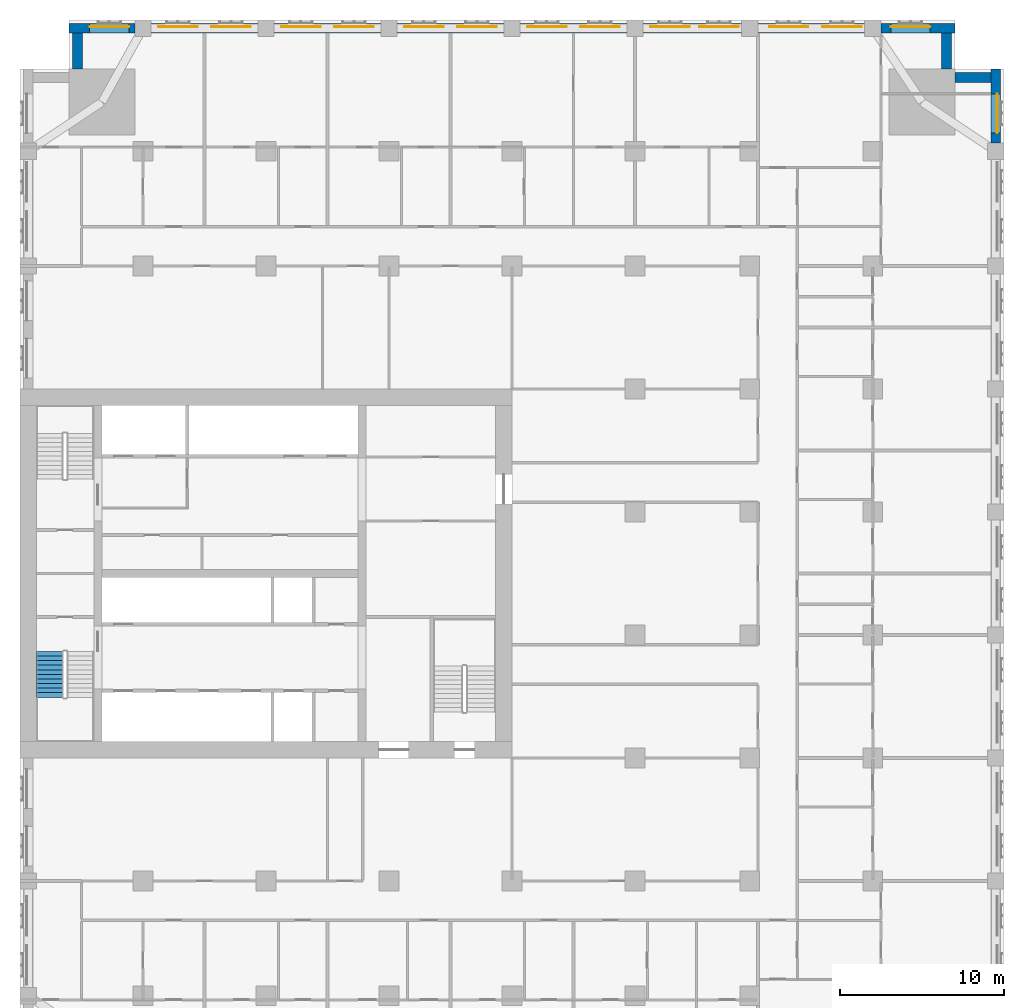
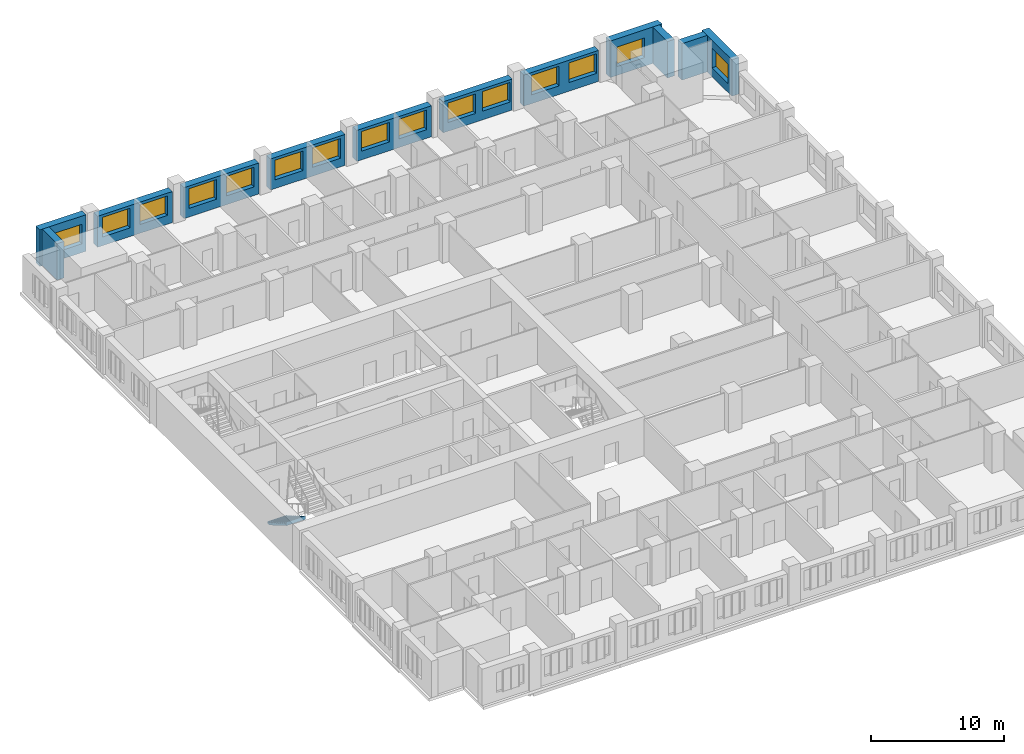
# One storey, part 11 of 14: 15 windows, 12 walls, 1 stair flight, 15 openings, 1 element without a shape of its own.
"""IFC4 building model written with IfcOpenShell, lengths in metres."""

from ifc_helpers import new_model, si_unit, direction, frame, frame_2d, origin, place, context, subcontext, project, spatial, polyline, rectangle, outline, extrude, material, layer, layer_set, type_object, element, fill, aggregate, save


model = new_model("IFC4")

# Units and contexts
model_context = context("Model", 3, precision=1e-05, world=origin(), true_north=direction((0.0, 1.0)))
body_context = subcontext(model_context, "Body", "Model", "MODEL_VIEW")
ifc_project = project(units=[si_unit("LENGTHUNIT", "METRE"), si_unit("AREAUNIT", "SQUARE_METRE"), si_unit("VOLUMEUNIT", "CUBIC_METRE"), si_unit("PLANEANGLEUNIT", "RADIAN"), si_unit("MASSUNIT", "GRAM", prefix="KILO")], contexts=[model_context])

# Site, building, storey
site_placement = place(None, origin())
site = spatial("IfcSite", under=ifc_project, at=site_placement, CompositionType="ELEMENT")
building_placement = place(site_placement, origin())
building = spatial("IfcBuilding", under=site, at=building_placement, Name="Tamorin Gate", CompositionType="ELEMENT")
storey_placement = place(building_placement, frame((0.0, 0.0, 52.0)))
storey = spatial("IfcBuildingStorey", under=building, at=storey_placement, Name="L11", CompositionType="ELEMENT", Elevation=52.0)

# Wall, opening, window
ifc_material_1 = material(Name="Precast concrete C40/50", Category="concrete")
ifc_layer = layer(ifc_material_1, 0.60009765625)
ifc_layer_set = layer_set([ifc_layer], Name="Precast concrete C40/50")
wall_type = type_object("IfcWallType", Name="Board-marked concrete facade panel 600", PredefinedType="SOLIDWALL", material=ifc_layer_set)
wall_1_placement = place(storey_placement, frame((89.5, 97.5, 0.0), z_axis=(0.0, 0.0, 1.0), x_axis=(0.0, 1.0, 0.0)))
wall_1 = element("IfcWall", 1, at=wall_1_placement, inside=storey, type_object=wall_type, Name="Facade panel", PredefinedType="SOLIDWALL", context=body_context, shape_type="SweptSolid", body=[
    extrude(rectangle(XDim=4.5, YDim=0.60009765625, at=frame_2d((2.25, 0.0))), origin(), (0.0, 0.0, 1.0), 3.35009765625),
])
opening_1_placement = place(wall_1_placement, frame((0.60009765625, 0.0, 0.800048828125)))
opening_1 = element("IfcOpeningElement", 2, at=opening_1_placement, cuts=wall_1, Name="Opening WN1", PredefinedType="OPENING", context=body_context, shape_type="SweptSolid", body=[
    extrude(rectangle(XDim=2.39990234375, YDim=1.800048828125, at=frame_2d((1.199951171875, 0.89990234375))), frame((0.0, 0.31005859375, 0.0), z_axis=(0.0, -1.0, 0.0), x_axis=(1.0, 0.0, 0.0)), (0.0, 0.0, 1.0), 0.6201171875),
])
ifc_material_2 = material(Name="Clear glass in aluminium frame", Category="aluminium")
window_type = type_object("IfcWindowType", Name="Deep-set window 2400x1800", PartitioningType="SINGLE_PANEL", PredefinedType="WINDOW", material=ifc_material_2)
window_1_placement = place(opening_1_placement, origin())
window_1 = element("IfcWindow", 3, at=window_1_placement, inside=storey, type_object=window_type, Name="Deep-set window", OverallHeight=1.800048828125, OverallWidth=2.39990234375, PartitioningType="SINGLE_PANEL", PredefinedType="WINDOW", context=body_context, shape_type="SweptSolid", body=[
    extrude(rectangle(XDim=2.39990234375, YDim=1.800048828125, at=frame_2d((1.199951171875, 0.89990234375))), frame((0.0, -0.070068359375, 0.0), z_axis=(0.0, -1.0, 0.0), x_axis=(1.0, 0.0, 0.0)), (0.0, 0.0, 1.0), 0.06005859375),
])
fill(opening_1, window_1)

# Walls
for number, where, z_axis, x_axis, name in (
    (4, (89.199951171875, 101.5, 0.0), (0.0, 0.0, 1.0), (-1.0, 0.0, 0.0), "Facade panel"),
    (5, (86.5, 102.0, 0.0), (0.0, 0.0, 1.0), (0.0, 1.0, 0.0), "Facade panel"),
):
    element("IfcWall", number, at=place(storey_placement, frame(where, z_axis=z_axis, x_axis=x_axis)), inside=storey, type_object=wall_type, Name=name, PredefinedType="SOLIDWALL", context=body_context, shape_type="SweptSolid", body=[
        extrude(rectangle(XDim=2.199951171875, YDim=0.60009765625, at=frame_2d((1.10009765625, 0.0))), origin(), (0.0, 0.0, 1.0), 3.35009765625),
    ])

# Wall, opening, window
wall_2_placement = place(storey_placement, frame((87.0, 104.5, 0.0), z_axis=(0.0, 0.0, 1.0), x_axis=(-1.0, 0.0, 0.0)))
wall_2 = element("IfcWall", 6, at=wall_2_placement, inside=storey, type_object=wall_type, Name="Facade panel", PredefinedType="SOLIDWALL", context=body_context, shape_type="SweptSolid", body=[
    extrude(rectangle(XDim=4.5, YDim=0.60009765625, at=frame_2d((2.25, 0.0))), origin(), (0.0, 0.0, 1.0), 3.35009765625),
])
opening_2_placement = place(wall_2_placement, frame((1.5, 0.0, 0.800048828125)))
opening_2 = element("IfcOpeningElement", 7, at=opening_2_placement, cuts=wall_2, Name="Opening WN1", PredefinedType="OPENING", context=body_context, shape_type="SweptSolid", body=[
    extrude(rectangle(XDim=2.39990234375, YDim=1.800048828125, at=frame_2d((1.199951171875, 0.89990234375))), frame((0.0, 0.31005859375, 0.0), z_axis=(0.0, -1.0, 0.0), x_axis=(1.0, 0.0, 0.0)), (0.0, 0.0, 1.0), 0.6201171875),
])
window_2_placement = place(opening_2_placement, origin())
window_2 = element("IfcWindow", 8, at=window_2_placement, inside=storey, type_object=window_type, Name="Deep-set window", OverallHeight=1.800048828125, OverallWidth=2.39990234375, PartitioningType="SINGLE_PANEL", PredefinedType="WINDOW", context=body_context, shape_type="SweptSolid", body=[
    extrude(rectangle(XDim=2.39990234375, YDim=1.800048828125, at=frame_2d((1.199951171875, 0.89990234375))), frame((0.0, -0.070068359375, 0.0), z_axis=(0.0, -1.0, 0.0), x_axis=(1.0, 0.0, 0.0)), (0.0, 0.0, 1.0), 0.06005859375),
])
fill(opening_2, window_2)

# Wall, openings, windows
wall_3_placement = place(storey_placement, frame((81.5, 104.5, 0.0), z_axis=(0.0, 0.0, 1.0), x_axis=(-1.0, 0.0, 0.0)))
wall_3 = element("IfcWall", 9, at=wall_3_placement, inside=storey, type_object=wall_type, Name="Facade panel", PredefinedType="SOLIDWALL", context=body_context, shape_type="SweptSolid", body=[
    extrude(rectangle(XDim=6.5, YDim=0.60009765625, at=frame_2d((3.25, 0.0))), origin(), (0.0, 0.0, 1.0), 2.85009765625),
])
opening_3_placement = place(wall_3_placement, frame((3.425048828125, 0.0, 0.800048828125)))
opening_3 = element("IfcOpeningElement", 10, at=opening_3_placement, cuts=wall_3, Name="Opening WN1", PredefinedType="OPENING", context=body_context, shape_type="SweptSolid", body=[
    extrude(rectangle(XDim=2.39990234375, YDim=1.800048828125, at=frame_2d((1.199951171875, 0.89990234375))), frame((0.0, 0.31005859375, 0.0), z_axis=(0.0, -1.0, 0.0), x_axis=(1.0, 0.0, 0.0)), (0.0, 0.0, 1.0), 0.6201171875),
])
opening_4_placement = place(wall_3_placement, frame((0.175048828125, 0.0, 0.800048828125)))
opening_4 = element("IfcOpeningElement", 11, at=opening_4_placement, cuts=wall_3, Name="Opening WN1", PredefinedType="OPENING", context=body_context, shape_type="SweptSolid", body=[
    extrude(rectangle(XDim=2.39990234375, YDim=1.800048828125, at=frame_2d((1.199951171875, 0.89990234375))), frame((0.0, 0.31005859375, 0.0), z_axis=(0.0, -1.0, 0.0), x_axis=(1.0, 0.0, 0.0)), (0.0, 0.0, 1.0), 0.6201171875),
])
window_3_placement = place(opening_3_placement, origin())
window_3 = element("IfcWindow", 12, at=window_3_placement, inside=storey, type_object=window_type, Name="Deep-set window", OverallHeight=1.800048828125, OverallWidth=2.39990234375, PartitioningType="SINGLE_PANEL", PredefinedType="WINDOW", context=body_context, shape_type="SweptSolid", body=[
    extrude(rectangle(XDim=2.39990234375, YDim=1.800048828125, at=frame_2d((1.199951171875, 0.89990234375))), frame((0.0, -0.070068359375, 0.0), z_axis=(0.0, -1.0, 0.0), x_axis=(1.0, 0.0, 0.0)), (0.0, 0.0, 1.0), 0.06005859375),
])
fill(opening_3, window_3)
window_4_placement = place(opening_4_placement, origin())
window_4 = element("IfcWindow", 13, at=window_4_placement, inside=storey, type_object=window_type, Name="Deep-set window", OverallHeight=1.800048828125, OverallWidth=2.39990234375, PartitioningType="SINGLE_PANEL", PredefinedType="WINDOW", context=body_context, shape_type="SweptSolid", body=[
    extrude(rectangle(XDim=2.39990234375, YDim=1.800048828125, at=frame_2d((1.199951171875, 0.89990234375))), frame((0.0, -0.070068359375, 0.0), z_axis=(0.0, -1.0, 0.0), x_axis=(1.0, 0.0, 0.0)), (0.0, 0.0, 1.0), 0.06005859375),
])
fill(opening_4, window_4)

wall_4_placement = place(storey_placement, frame((74.0, 104.5, 0.0), z_axis=(0.0, 0.0, 1.0), x_axis=(-1.0, 0.0, 0.0)))
wall_4 = element("IfcWall", 14, at=wall_4_placement, inside=storey, type_object=wall_type, Name="Facade panel", PredefinedType="SOLIDWALL", context=body_context, shape_type="SweptSolid", body=[
    extrude(rectangle(XDim=6.0, YDim=0.60009765625, at=frame_2d((3.0, 0.0))), origin(), (0.0, 0.0, 1.0), 2.85009765625),
])
opening_5_placement = place(wall_4_placement, frame((3.175048828125, 0.0, 0.800048828125)))
opening_5 = element("IfcOpeningElement", 15, at=opening_5_placement, cuts=wall_4, Name="Opening WN1", PredefinedType="OPENING", context=body_context, shape_type="SweptSolid", body=[
    extrude(rectangle(XDim=2.39990234375, YDim=1.800048828125, at=frame_2d((1.199951171875, 0.89990234375))), frame((0.0, 0.31005859375, 0.0), z_axis=(0.0, -1.0, 0.0), x_axis=(1.0, 0.0, 0.0)), (0.0, 0.0, 1.0), 0.6201171875),
])
opening_6_placement = place(wall_4_placement, frame((0.175048828125, 0.0, 0.800048828125)))
opening_6 = element("IfcOpeningElement", 16, at=opening_6_placement, cuts=wall_4, Name="Opening WN1", PredefinedType="OPENING", context=body_context, shape_type="SweptSolid", body=[
    extrude(rectangle(XDim=2.39990234375, YDim=1.800048828125, at=frame_2d((1.199951171875, 0.89990234375))), frame((0.0, 0.31005859375, 0.0), z_axis=(0.0, -1.0, 0.0), x_axis=(1.0, 0.0, 0.0)), (0.0, 0.0, 1.0), 0.6201171875),
])
window_5_placement = place(opening_5_placement, origin())
window_5 = element("IfcWindow", 17, at=window_5_placement, inside=storey, type_object=window_type, Name="Deep-set window", OverallHeight=1.800048828125, OverallWidth=2.39990234375, PartitioningType="SINGLE_PANEL", PredefinedType="WINDOW", context=body_context, shape_type="SweptSolid", body=[
    extrude(rectangle(XDim=2.39990234375, YDim=1.800048828125, at=frame_2d((1.199951171875, 0.89990234375))), frame((0.0, -0.070068359375, 0.0), z_axis=(0.0, -1.0, 0.0), x_axis=(1.0, 0.0, 0.0)), (0.0, 0.0, 1.0), 0.06005859375),
])
fill(opening_5, window_5)
window_6_placement = place(opening_6_placement, origin())
window_6 = element("IfcWindow", 18, at=window_6_placement, inside=storey, type_object=window_type, Name="Deep-set window", OverallHeight=1.800048828125, OverallWidth=2.39990234375, PartitioningType="SINGLE_PANEL", PredefinedType="WINDOW", context=body_context, shape_type="SweptSolid", body=[
    extrude(rectangle(XDim=2.39990234375, YDim=1.800048828125, at=frame_2d((1.199951171875, 0.89990234375))), frame((0.0, -0.070068359375, 0.0), z_axis=(0.0, -1.0, 0.0), x_axis=(1.0, 0.0, 0.0)), (0.0, 0.0, 1.0), 0.06005859375),
])
fill(opening_6, window_6)

wall_5_placement = place(storey_placement, frame((67.0, 104.5, 0.0), z_axis=(0.0, 0.0, 1.0), x_axis=(-1.0, 0.0, 0.0)))
wall_5 = element("IfcWall", 19, at=wall_5_placement, inside=storey, type_object=wall_type, Name="Facade panel", PredefinedType="SOLIDWALL", context=body_context, shape_type="SweptSolid", body=[
    extrude(rectangle(XDim=6.5, YDim=0.60009765625, at=frame_2d((3.25, 0.0))), origin(), (0.0, 0.0, 1.0), 2.85009765625),
])
opening_7_placement = place(wall_5_placement, frame((3.675048828125, 0.0, 0.800048828125)))
opening_7 = element("IfcOpeningElement", 20, at=opening_7_placement, cuts=wall_5, Name="Opening WN1", PredefinedType="OPENING", context=body_context, shape_type="SweptSolid", body=[
    extrude(rectangle(XDim=2.39990234375, YDim=1.800048828125, at=frame_2d((1.199951171875, 0.89990234375))), frame((0.0, 0.31005859375, 0.0), z_axis=(0.0, -1.0, 0.0), x_axis=(1.0, 0.0, 0.0)), (0.0, 0.0, 1.0), 0.6201171875),
])
opening_8_placement = place(wall_5_placement, frame((0.425048828125, 0.0, 0.800048828125)))
opening_8 = element("IfcOpeningElement", 21, at=opening_8_placement, cuts=wall_5, Name="Opening WN1", PredefinedType="OPENING", context=body_context, shape_type="SweptSolid", body=[
    extrude(rectangle(XDim=2.39990234375, YDim=1.800048828125, at=frame_2d((1.199951171875, 0.89990234375))), frame((0.0, 0.31005859375, 0.0), z_axis=(0.0, -1.0, 0.0), x_axis=(1.0, 0.0, 0.0)), (0.0, 0.0, 1.0), 0.6201171875),
])
window_7_placement = place(opening_7_placement, origin())
window_7 = element("IfcWindow", 22, at=window_7_placement, inside=storey, type_object=window_type, Name="Deep-set window", OverallHeight=1.800048828125, OverallWidth=2.39990234375, PartitioningType="SINGLE_PANEL", PredefinedType="WINDOW", context=body_context, shape_type="SweptSolid", body=[
    extrude(rectangle(XDim=2.39990234375, YDim=1.800048828125, at=frame_2d((1.199951171875, 0.89990234375))), frame((0.0, -0.070068359375, 0.0), z_axis=(0.0, -1.0, 0.0), x_axis=(1.0, 0.0, 0.0)), (0.0, 0.0, 1.0), 0.06005859375),
])
fill(opening_7, window_7)
window_8_placement = place(opening_8_placement, origin())
window_8 = element("IfcWindow", 23, at=window_8_placement, inside=storey, type_object=window_type, Name="Deep-set window", OverallHeight=1.800048828125, OverallWidth=2.39990234375, PartitioningType="SINGLE_PANEL", PredefinedType="WINDOW", context=body_context, shape_type="SweptSolid", body=[
    extrude(rectangle(XDim=2.39990234375, YDim=1.800048828125, at=frame_2d((1.199951171875, 0.89990234375))), frame((0.0, -0.070068359375, 0.0), z_axis=(0.0, -1.0, 0.0), x_axis=(1.0, 0.0, 0.0)), (0.0, 0.0, 1.0), 0.06005859375),
])
fill(opening_8, window_8)

wall_6_placement = place(storey_placement, frame((59.5, 104.5, 0.0), z_axis=(0.0, 0.0, 1.0), x_axis=(-1.0, 0.0, 0.0)))
wall_6 = element("IfcWall", 24, at=wall_6_placement, inside=storey, type_object=wall_type, Name="Facade panel", PredefinedType="SOLIDWALL", context=body_context, shape_type="SweptSolid", body=[
    extrude(rectangle(XDim=6.5, YDim=0.60009765625, at=frame_2d((3.25, 0.0))), origin(), (0.0, 0.0, 1.0), 2.85009765625),
])
opening_9_placement = place(wall_6_placement, frame((3.675048828125, 0.0, 0.800048828125)))
opening_9 = element("IfcOpeningElement", 25, at=opening_9_placement, cuts=wall_6, Name="Opening WN1", PredefinedType="OPENING", context=body_context, shape_type="SweptSolid", body=[
    extrude(rectangle(XDim=2.39990234375, YDim=1.800048828125, at=frame_2d((1.199951171875, 0.89990234375))), frame((0.0, 0.31005859375, 0.0), z_axis=(0.0, -1.0, 0.0), x_axis=(1.0, 0.0, 0.0)), (0.0, 0.0, 1.0), 0.6201171875),
])
opening_10_placement = place(wall_6_placement, frame((0.425048828125, 0.0, 0.800048828125)))
opening_10 = element("IfcOpeningElement", 26, at=opening_10_placement, cuts=wall_6, Name="Opening WN1", PredefinedType="OPENING", context=body_context, shape_type="SweptSolid", body=[
    extrude(rectangle(XDim=2.39990234375, YDim=1.800048828125, at=frame_2d((1.199951171875, 0.89990234375))), frame((0.0, 0.31005859375, 0.0), z_axis=(0.0, -1.0, 0.0), x_axis=(1.0, 0.0, 0.0)), (0.0, 0.0, 1.0), 0.6201171875),
])
window_9_placement = place(opening_9_placement, origin())
window_9 = element("IfcWindow", 27, at=window_9_placement, inside=storey, type_object=window_type, Name="Deep-set window", OverallHeight=1.800048828125, OverallWidth=2.39990234375, PartitioningType="SINGLE_PANEL", PredefinedType="WINDOW", context=body_context, shape_type="SweptSolid", body=[
    extrude(rectangle(XDim=2.39990234375, YDim=1.800048828125, at=frame_2d((1.199951171875, 0.89990234375))), frame((0.0, -0.070068359375, 0.0), z_axis=(0.0, -1.0, 0.0), x_axis=(1.0, 0.0, 0.0)), (0.0, 0.0, 1.0), 0.06005859375),
])
fill(opening_9, window_9)
window_10_placement = place(opening_10_placement, origin())
window_10 = element("IfcWindow", 28, at=window_10_placement, inside=storey, type_object=window_type, Name="Deep-set window", OverallHeight=1.800048828125, OverallWidth=2.39990234375, PartitioningType="SINGLE_PANEL", PredefinedType="WINDOW", context=body_context, shape_type="SweptSolid", body=[
    extrude(rectangle(XDim=2.39990234375, YDim=1.800048828125, at=frame_2d((1.199951171875, 0.89990234375))), frame((0.0, -0.070068359375, 0.0), z_axis=(0.0, -1.0, 0.0), x_axis=(1.0, 0.0, 0.0)), (0.0, 0.0, 1.0), 0.06005859375),
])
fill(opening_10, window_10)

wall_7_placement = place(storey_placement, frame((52.0, 104.5, 0.0), z_axis=(0.0, 0.0, 1.0), x_axis=(-1.0, 0.0, 0.0)))
wall_7 = element("IfcWall", 29, at=wall_7_placement, inside=storey, type_object=wall_type, Name="Facade panel", PredefinedType="SOLIDWALL", context=body_context, shape_type="SweptSolid", body=[
    extrude(rectangle(XDim=6.5, YDim=0.60009765625, at=frame_2d((3.25, 0.0))), origin(), (0.0, 0.0, 1.0), 2.85009765625),
])
opening_11_placement = place(wall_7_placement, frame((3.675048828125, 0.0, 0.800048828125)))
opening_11 = element("IfcOpeningElement", 30, at=opening_11_placement, cuts=wall_7, Name="Opening WN1", PredefinedType="OPENING", context=body_context, shape_type="SweptSolid", body=[
    extrude(rectangle(XDim=2.39990234375, YDim=1.800048828125, at=frame_2d((1.199951171875, 0.89990234375))), frame((0.0, 0.31005859375, 0.0), z_axis=(0.0, -1.0, 0.0), x_axis=(1.0, 0.0, 0.0)), (0.0, 0.0, 1.0), 0.6201171875),
])
opening_12_placement = place(wall_7_placement, frame((0.425048828125, 0.0, 0.800048828125)))
opening_12 = element("IfcOpeningElement", 31, at=opening_12_placement, cuts=wall_7, Name="Opening WN1", PredefinedType="OPENING", context=body_context, shape_type="SweptSolid", body=[
    extrude(rectangle(XDim=2.39990234375, YDim=1.800048828125, at=frame_2d((1.199951171875, 0.89990234375))), frame((0.0, 0.31005859375, 0.0), z_axis=(0.0, -1.0, 0.0), x_axis=(1.0, 0.0, 0.0)), (0.0, 0.0, 1.0), 0.6201171875),
])
window_11_placement = place(opening_11_placement, origin())
window_11 = element("IfcWindow", 32, at=window_11_placement, inside=storey, type_object=window_type, Name="Deep-set window", OverallHeight=1.800048828125, OverallWidth=2.39990234375, PartitioningType="SINGLE_PANEL", PredefinedType="WINDOW", context=body_context, shape_type="SweptSolid", body=[
    extrude(rectangle(XDim=2.39990234375, YDim=1.800048828125, at=frame_2d((1.199951171875, 0.89990234375))), frame((0.0, -0.070068359375, 0.0), z_axis=(0.0, -1.0, 0.0), x_axis=(1.0, 0.0, 0.0)), (0.0, 0.0, 1.0), 0.06005859375),
])
fill(opening_11, window_11)
window_12_placement = place(opening_12_placement, origin())
window_12 = element("IfcWindow", 33, at=window_12_placement, inside=storey, type_object=window_type, Name="Deep-set window", OverallHeight=1.800048828125, OverallWidth=2.39990234375, PartitioningType="SINGLE_PANEL", PredefinedType="WINDOW", context=body_context, shape_type="SweptSolid", body=[
    extrude(rectangle(XDim=2.39990234375, YDim=1.800048828125, at=frame_2d((1.199951171875, 0.89990234375))), frame((0.0, -0.070068359375, 0.0), z_axis=(0.0, -1.0, 0.0), x_axis=(1.0, 0.0, 0.0)), (0.0, 0.0, 1.0), 0.06005859375),
])
fill(opening_12, window_12)

wall_8_placement = place(storey_placement, frame((44.5, 104.5, 0.0), z_axis=(0.0, 0.0, 1.0), x_axis=(-1.0, 0.0, 0.0)))
wall_8 = element("IfcWall", 34, at=wall_8_placement, inside=storey, type_object=wall_type, Name="Facade panel", PredefinedType="SOLIDWALL", context=body_context, shape_type="SweptSolid", body=[
    extrude(rectangle(XDim=6.5, YDim=0.60009765625, at=frame_2d((3.25, 0.0))), origin(), (0.0, 0.0, 1.0), 2.85009765625),
])
opening_13_placement = place(wall_8_placement, frame((3.675048828125, 0.0, 0.800048828125)))
opening_13 = element("IfcOpeningElement", 35, at=opening_13_placement, cuts=wall_8, Name="Opening WN1", PredefinedType="OPENING", context=body_context, shape_type="SweptSolid", body=[
    extrude(rectangle(XDim=2.39990234375, YDim=1.800048828125, at=frame_2d((1.199951171875, 0.89990234375))), frame((0.0, 0.31005859375, 0.0), z_axis=(0.0, -1.0, 0.0), x_axis=(1.0, 0.0, 0.0)), (0.0, 0.0, 1.0), 0.6201171875),
])
opening_14_placement = place(wall_8_placement, frame((0.425048828125, 0.0, 0.800048828125)))
opening_14 = element("IfcOpeningElement", 36, at=opening_14_placement, cuts=wall_8, Name="Opening WN1", PredefinedType="OPENING", context=body_context, shape_type="SweptSolid", body=[
    extrude(rectangle(XDim=2.39990234375, YDim=1.800048828125, at=frame_2d((1.199951171875, 0.89990234375))), frame((0.0, 0.31005859375, 0.0), z_axis=(0.0, -1.0, 0.0), x_axis=(1.0, 0.0, 0.0)), (0.0, 0.0, 1.0), 0.6201171875),
])
window_13_placement = place(opening_13_placement, origin())
window_13 = element("IfcWindow", 37, at=window_13_placement, inside=storey, type_object=window_type, Name="Deep-set window", OverallHeight=1.800048828125, OverallWidth=2.39990234375, PartitioningType="SINGLE_PANEL", PredefinedType="WINDOW", context=body_context, shape_type="SweptSolid", body=[
    extrude(rectangle(XDim=2.39990234375, YDim=1.800048828125, at=frame_2d((1.199951171875, 0.89990234375))), frame((0.0, -0.070068359375, 0.0), z_axis=(0.0, -1.0, 0.0), x_axis=(1.0, 0.0, 0.0)), (0.0, 0.0, 1.0), 0.06005859375),
])
fill(opening_13, window_13)
window_14_placement = place(opening_14_placement, origin())
window_14 = element("IfcWindow", 38, at=window_14_placement, inside=storey, type_object=window_type, Name="Deep-set window", OverallHeight=1.800048828125, OverallWidth=2.39990234375, PartitioningType="SINGLE_PANEL", PredefinedType="WINDOW", context=body_context, shape_type="SweptSolid", body=[
    extrude(rectangle(XDim=2.39990234375, YDim=1.800048828125, at=frame_2d((1.199951171875, 0.89990234375))), frame((0.0, -0.070068359375, 0.0), z_axis=(0.0, -1.0, 0.0), x_axis=(1.0, 0.0, 0.0)), (0.0, 0.0, 1.0), 0.06005859375),
])
fill(opening_14, window_14)

# Wall, opening, window
wall_9_placement = place(storey_placement, frame((37.0, 104.5, 0.0), z_axis=(0.0, 0.0, 1.0), x_axis=(-1.0, 0.0, 0.0)))
wall_9 = element("IfcWall", 39, at=wall_9_placement, inside=storey, type_object=wall_type, Name="Facade panel", PredefinedType="SOLIDWALL", context=body_context, shape_type="SweptSolid", body=[
    extrude(rectangle(XDim=4.0, YDim=0.60009765625, at=frame_2d((2.0, 0.0))), origin(), (0.0, 0.0, 1.0), 3.35009765625),
])
opening_15_placement = place(wall_9_placement, frame((0.35009765625, 0.0, 0.800048828125)))
opening_15 = element("IfcOpeningElement", 40, at=opening_15_placement, cuts=wall_9, Name="Opening WN1", PredefinedType="OPENING", context=body_context, shape_type="SweptSolid", body=[
    extrude(rectangle(XDim=2.39990234375, YDim=1.800048828125, at=frame_2d((1.199951171875, 0.89990234375))), frame((0.0, 0.31005859375, 0.0), z_axis=(0.0, -1.0, 0.0), x_axis=(1.0, 0.0, 0.0)), (0.0, 0.0, 1.0), 0.6201171875),
])
window_15_placement = place(opening_15_placement, origin())
window_15 = element("IfcWindow", 41, at=window_15_placement, inside=storey, type_object=window_type, Name="Deep-set window", OverallHeight=1.800048828125, OverallWidth=2.39990234375, PartitioningType="SINGLE_PANEL", PredefinedType="WINDOW", context=body_context, shape_type="SweptSolid", body=[
    extrude(rectangle(XDim=2.39990234375, YDim=1.800048828125, at=frame_2d((1.199951171875, 0.89990234375))), frame((0.0, -0.070068359375, 0.0), z_axis=(0.0, -1.0, 0.0), x_axis=(1.0, 0.0, 0.0)), (0.0, 0.0, 1.0), 0.06005859375),
])
fill(opening_15, window_15)

# Wall
wall_10_placement = place(storey_placement, frame((33.5, 104.199951171875, 0.0), z_axis=(0.0, 0.0, 1.0), x_axis=(0.0, -1.0, 0.0)))
element("IfcWall", 42, at=wall_10_placement, inside=storey, type_object=wall_type, Name="Facade panel", PredefinedType="SOLIDWALL", context=body_context, shape_type="SweptSolid", body=[
    extrude(rectangle(XDim=2.199951171875, YDim=0.60009765625, at=frame_2d((1.10009765625, 0.0))), origin(), (0.0, 0.0, 1.0), 3.35009765625),
])

# Stair, stair flight
ifc_material_3 = material(Name="Concrete C40/50", Category="concrete")
stair_type = type_object("IfcStairType", Name="Exit stair", PredefinedType="HALF_TURN_STAIR", material=ifc_material_3)
stair_placement = place(storey_placement, origin())
stair = element("IfcStair", 43, at=stair_placement, inside=storey, type_object=stair_type, Name="L11 stair ST1", PredefinedType="HALF_TURN_STAIR")
stair_flight_type = type_object("IfcStairFlightType", Name="Exit stair flight", PredefinedType="STRAIGHT", material=ifc_material_3)
stair_flight_placement = place(storey_placement, frame((31.824951171875, 66.5, 0.0), z_axis=(0.0, 0.0, 1.0), x_axis=(0.0, -1.0, 0.0)))
stair_flight = element("IfcStairFlight", 44, at=stair_flight_placement, type_object=stair_flight_type, Name="ST1 flight 1", NumberOfRisers=11, NumberOfTreads=10, PredefinedType="STRAIGHT", RiserHeight=0.163636364, TreadLength=0.28, context=body_context, shape_type="SweptSolid", body=[
    extrude(outline(polyline([(-0.00048828125, 0.0), (-0.00048828125, 0.001708984375), (-0.00048828125, 0.003173828125), (-0.00048828125, 0.0048828125), (-0.00048828125, 0.006591796875), (-0.00048828125, 0.008056640625), (-0.00048828125, 0.009765625), (-0.00048828125, 0.01123046875), (-0.00048828125, 0.012939453125), (-0.00048828125, 0.0146484375), (-0.00048828125, 0.01611328125), (-0.00048828125, 0.017822265625), (-0.00048828125, 0.01953125), (-0.00048828125, 0.02099609375), (-0.00048828125, 0.022705078125), (-0.00048828125, 0.0244140625), (-0.00048828125, 0.02587890625), (-0.00048828125, 0.027587890625), (-0.00048828125, 0.029052734375), (-0.00048828125, 0.03076171875), (-0.00048828125, 0.032470703125), (-0.00048828125, 0.033935546875), (-0.00048828125, 0.03564453125), (-0.00048828125, 0.037353515625), (-0.00048828125, 0.038818359375), (-0.00048828125, 0.04052734375), (-0.00048828125, 0.042236328125), (-0.00048828125, 0.043701171875), (-0.00048828125, 0.04541015625), (-0.00048828125, 0.046875), (-0.00048828125, 0.048583984375), (-0.00048828125, 0.05029296875), (-0.00048828125, 0.0517578125), (-0.00048828125, 0.053466796875), (-0.00048828125, 0.05517578125), (-0.00048828125, 0.056640625), (-0.00048828125, 0.058349609375), (-0.00048828125, 0.06005859375), (-0.00048828125, 0.0615234375), (-0.00048828125, 0.063232421875), (-0.00048828125, 0.064697265625), (-0.00048828125, 0.06640625), (-0.00048828125, 0.068115234375), (-0.00048828125, 0.069580078125), (-0.00048828125, 0.0712890625), (-0.00048828125, 0.072998046875), (-0.00048828125, 0.074462890625), (-0.00048828125, 0.076171875), (-0.00048828125, 0.077880859375), (-0.00048828125, 0.079345703125), (-0.00048828125, 0.0810546875), (-0.00048828125, 0.08251953125), (-0.00048828125, 0.084228515625), (-0.00048828125, 0.0859375), (-0.00048828125, 0.08740234375), (-0.00048828125, 0.089111328125), (-0.00048828125, 0.0908203125), (-0.00048828125, 0.09228515625), (-0.00048828125, 0.093994140625), (-0.00048828125, 0.095703125), (-0.00048828125, 0.09716796875), (-0.00048828125, 0.098876953125), (-0.00048828125, 0.100341796875), (-0.00048828125, 0.10205078125), (-0.00048828125, 0.103759765625), (-0.00048828125, 0.105224609375), (-0.00048828125, 0.10693359375), (-0.00048828125, 0.108642578125), (-0.00048828125, 0.110107421875), (-0.00048828125, 0.11181640625), (-0.00048828125, 0.113525390625), (-0.00048828125, 0.114990234375), (-0.00048828125, 0.11669921875), (-0.00048828125, 0.1181640625), (-0.00048828125, 0.119873046875), (-0.00048828125, 0.12158203125), (-0.00048828125, 0.123046875), (-0.00048828125, 0.124755859375), (-0.00048828125, 0.12646484375), (-0.00048828125, 0.1279296875), (-0.00048828125, 0.129638671875), (-0.00048828125, 0.13134765625), (-0.00048828125, 0.1328125), (-0.00048828125, 0.134521484375), (-0.00048828125, 0.135986328125), (-0.00048828125, 0.1376953125), (-0.00048828125, 0.139404296875), (-0.00048828125, 0.140869140625), (-0.00048828125, 0.142578125), (-0.00048828125, 0.144287109375), (-0.00048828125, 0.145751953125), (-0.00048828125, 0.1474609375), (-0.00048828125, 0.149169921875), (-0.00048828125, 0.150634765625), (-0.00048828125, 0.15234375), (-0.00048828125, 0.15380859375), (-0.00048828125, 0.155517578125), (-0.00048828125, 0.1572265625), (-0.00048828125, 0.15869140625), (-0.00048828125, 0.160400390625), (-0.00048828125, 0.162109375), (-0.00048828125, 0.16357421875), (0.280029296875, 0.16357421875), (0.280029296875, 0.327392578125), (0.56005859375, 0.327392578125), (0.56005859375, 0.490966796875), (0.840087890625, 0.490966796875), (0.840087890625, 0.654541015625), (1.1201171875, 0.654541015625), (1.1201171875, 0.818115234375), (1.39990234375, 0.818115234375), (1.39990234375, 0.98193359375), (1.679931640625, 0.98193359375), (1.679931640625, 1.1455078125), (1.9599609375, 1.1455078125), (1.9599609375, 1.30908203125), (2.239990234375, 1.30908203125), (2.239990234375, 1.47265625), (2.52001953125, 1.47265625), (2.52001953125, 1.636474609375), (2.800048828125, 1.636474609375), (2.800048828125, 1.800048828125), (2.800537109375, 1.800048828125), (2.800537109375, 1.796630859375), (2.800537109375, 1.793212890625), (2.800537109375, 1.7900390625), (2.800537109375, 1.78662109375), (2.800537109375, 1.783203125), (2.800537109375, 1.780029296875), (2.800537109375, 1.776611328125), (2.800537109375, 1.773193359375), (2.800537109375, 1.77001953125), (2.800537109375, 1.7666015625), (2.800537109375, 1.76318359375), (2.800537109375, 1.760009765625), (2.800537109375, 1.756591796875), (2.800537109375, 1.753173828125), (2.800537109375, 1.75), (2.800537109375, 1.74658203125), (2.800537109375, 1.7431640625), (2.800537109375, 1.739990234375), (2.800537109375, 1.736572265625), (2.800537109375, 1.733154296875), (2.800537109375, 1.72998046875), (2.800537109375, 1.7265625), (2.800537109375, 1.72314453125), (2.800537109375, 1.719970703125), (2.800537109375, 1.716552734375), (2.800537109375, 1.713134765625), (2.800537109375, 1.7099609375), (2.800537109375, 1.70654296875), (2.800537109375, 1.703125), (2.800537109375, 1.69970703125), (2.800537109375, 1.696533203125), (2.800537109375, 1.693115234375), (2.800537109375, 1.689697265625), (2.800537109375, 1.6865234375), (2.800537109375, 1.68310546875), (2.800537109375, 1.6796875), (2.800537109375, 1.676513671875), (2.800537109375, 1.673095703125), (2.800537109375, 1.669677734375), (2.800537109375, 1.66650390625), (2.800537109375, 1.6630859375), (2.800537109375, 1.65966796875), (2.800537109375, 1.656494140625), (2.800537109375, 1.653076171875), (2.800537109375, 1.649658203125), (2.800537109375, 1.646484375), (2.800537109375, 1.64306640625), (2.800537109375, 1.6396484375), (2.800537109375, 1.636474609375), (2.800537109375, 1.633056640625), (2.800537109375, 1.629638671875), (2.800537109375, 1.62646484375), (2.800537109375, 1.623046875), (2.800537109375, 1.61962890625), (2.800537109375, 1.616455078125), (2.800537109375, 1.613037109375), (2.800537109375, 1.609619140625), (2.800537109375, 1.6064453125), (2.800537109375, 1.60302734375), (2.800537109375, 1.599609375), (2.800537109375, 1.59619140625), (2.800537109375, 1.593017578125), (2.800537109375, 1.589599609375), (2.800537109375, 1.586181640625), (2.800537109375, 1.5830078125), (2.800537109375, 1.57958984375), (2.800537109375, 1.576171875), (2.800537109375, 1.572998046875), (2.800537109375, 1.569580078125), (2.800537109375, 1.566162109375), (2.800537109375, 1.56298828125), (2.800537109375, 1.5595703125), (2.800537109375, 1.55615234375), (2.800537109375, 1.552978515625), (2.800537109375, 1.549560546875), (2.800537109375, 1.546142578125), (2.800537109375, 1.54296875), (2.800537109375, 1.53955078125), (2.800537109375, 1.5361328125), (2.800537109375, 1.532958984375), (2.800537109375, 1.529541015625), (2.800537109375, 1.526123046875), (2.800537109375, 1.52294921875), (2.800537109375, 1.51953125), (2.800537109375, 1.51611328125), (2.800537109375, 1.512939453125), (2.800537109375, 1.509521484375), (2.800537109375, 1.506103515625), (2.800537109375, 1.5029296875), (2.800537109375, 1.49951171875), (2.800537109375, 1.49609375), (2.800537109375, 1.49267578125), (2.800537109375, 1.489501953125), (2.800537109375, 1.486083984375), (2.800537109375, 1.482666015625), (2.800537109375, 1.4794921875), (2.800537109375, 1.47607421875), (2.800537109375, 1.47265625), (2.800537109375, 1.469482421875), (2.800537109375, 1.466064453125), (2.800537109375, 1.462646484375), (2.800048828125, 1.462646484375), (0.297119140625, 0.0), (-0.00048828125, 0.0)])), frame((0.0, 0.824951171875, 0.0), z_axis=(0.0, -1.0, 0.0), x_axis=(1.0, 0.0, 0.0)), (0.0, 0.0, 1.0), 1.64990234375),
])
aggregate(stair, [stair_flight])

save(model, "model.ifc")
